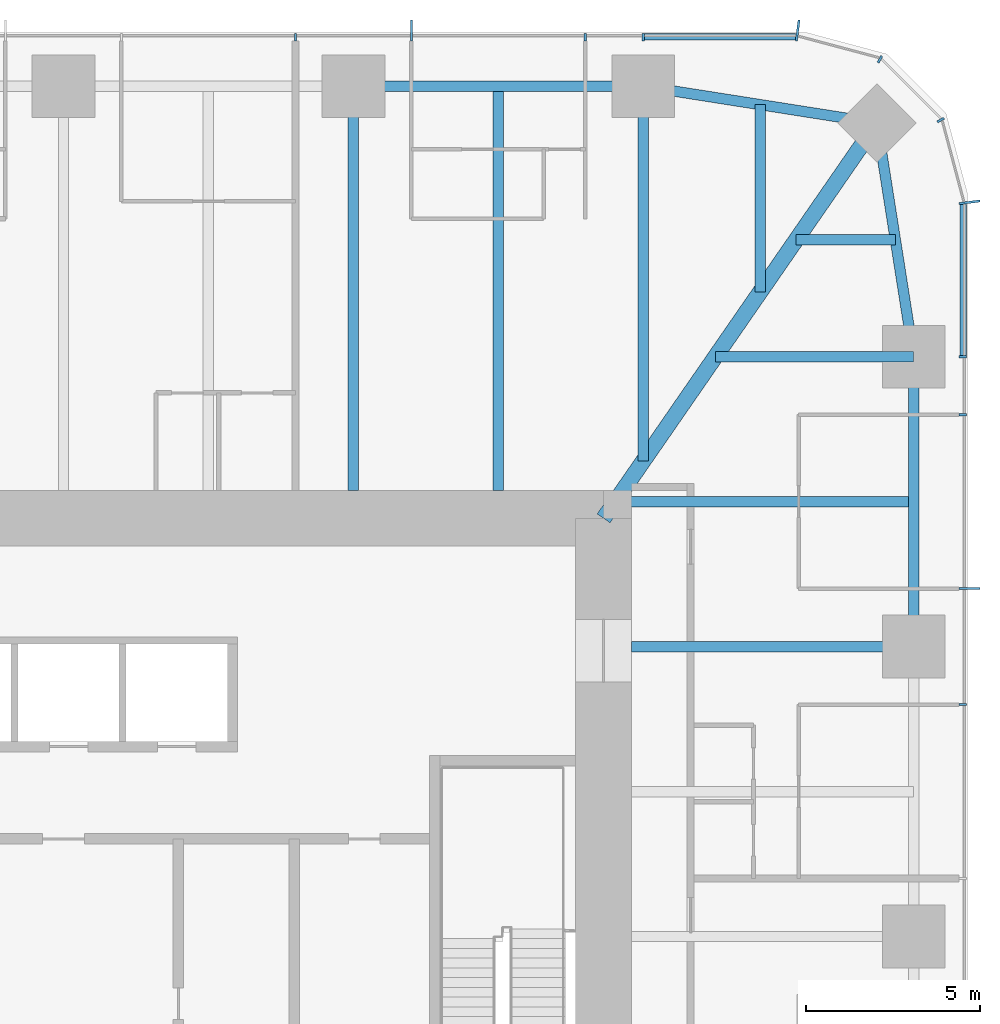
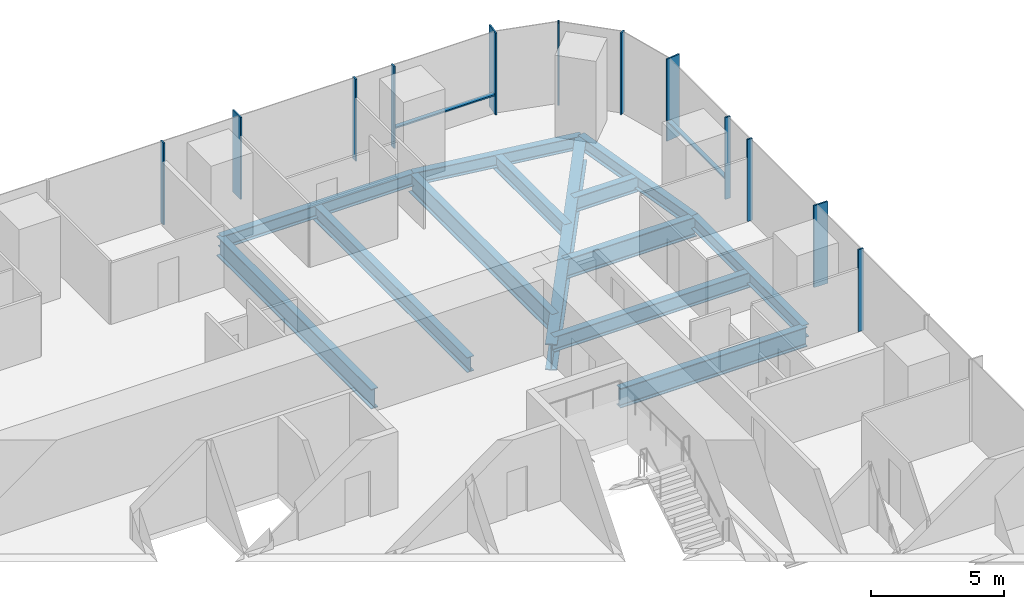
# One storey, part 6 of 12: 14 members, 13 beams, 3 elements without a shape of their own.
"""IFC4 building model written with IfcOpenShell, lengths in metres."""

from ifc_helpers import new_model, si_unit, direction, frame, origin, origin_2d, place, context, subcontext, project, spatial, rectangle, i_section, extrude, material, material_profile, profile_set, type_object, element, aggregate, save


model = new_model("IFC4")

# Units and contexts
model_context = context("Model", 3, precision=1e-05, world=origin(), true_north=direction((0.0, 1.0)))
body_context = subcontext(model_context, "Body", "Model", "MODEL_VIEW")
ifc_project = project(units=[si_unit("LENGTHUNIT", "METRE"), si_unit("AREAUNIT", "SQUARE_METRE"), si_unit("VOLUMEUNIT", "CUBIC_METRE"), si_unit("PLANEANGLEUNIT", "RADIAN"), si_unit("MASSUNIT", "GRAM", prefix="KILO")], contexts=[model_context])

# Site, building, storey
site_placement = place(None, origin())
site = spatial("IfcSite", under=ifc_project, at=site_placement, CompositionType="ELEMENT")
building_placement = place(site_placement, origin())
building = spatial("IfcBuilding", under=site, at=building_placement, Name="Khuree Lantern Residences", CompositionType="ELEMENT")
storey_placement = place(building_placement, frame((0.0, 0.0, 244.5)))
storey = spatial("IfcBuildingStorey", under=building, at=storey_placement, Name="L61", CompositionType="ELEMENT", Elevation=244.5)

# Beams
ifc_material_1 = material(Name="Steel S355", Category="steel")
ifc_material_profile_1 = material_profile(ifc_material_1, i_section(OverallWidth=0.300048828125, OverallDepth=0.68994140625, WebThickness=0.014404296875, FlangeThickness=0.027099609375, FilletRadius=0.027099609375, at=origin_2d()), Name="HE 700 A")
ifc_profile_set_1 = profile_set([ifc_material_profile_1], Name="Steel S355")
beam_type_1 = type_object("IfcBeamType", Name="B-34 SECONDARY BEAM HE 700 A", PredefinedType="BEAM", material=ifc_profile_set_1)
beam_1_placement = place(storey_placement, frame((12.47998046875, 24.39990234375, -0.594970703125), z_axis=(0.0, -1.0, 0.0), x_axis=(1.0, 0.0, 0.0)))
element("IfcBeam", 1, at=beam_1_placement, inside=storey, type_object=beam_type_1, Name="Secondary beam N4", PredefinedType="BEAM", context=body_context, shape_type="SweptSolid", body=[
    extrude(i_section(OverallWidth=0.300048828125, OverallDepth=0.68994140625, WebThickness=0.014404296875, FlangeThickness=0.027099609375, FilletRadius=0.027099609375, at=origin_2d()), origin(), (0.0, 0.0, 1.0), 11.599853515625),
])
beam_2_placement = place(storey_placement, frame((19.992919921875, 23.872802734375, -0.594970703125), z_axis=(0.0, -1.0, 0.0), x_axis=(1.0, 0.0, 0.0)))
element("IfcBeam", 2, at=beam_2_placement, inside=storey, type_object=beam_type_1, Name="Secondary beam N5", PredefinedType="BEAM", context=body_context, shape_type="SweptSolid", body=[
    extrude(i_section(OverallWidth=0.300048828125, OverallDepth=0.68994140625, WebThickness=0.014404296875, FlangeThickness=0.027099609375, FilletRadius=0.027099609375, at=origin_2d()), origin(), (0.0, 0.0, 1.0), 5.375732421875),
])
beam_3_placement = place(storey_placement, frame((23.872802734375, 19.992919921875, -0.594970703125), z_axis=(-1.0, 0.0, 0.0), x_axis=(0.0, -1.0, 0.0)))
element("IfcBeam", 3, at=beam_3_placement, inside=storey, type_object=beam_type_1, Name="Secondary beam E1", PredefinedType="BEAM", context=body_context, shape_type="SweptSolid", body=[
    extrude(i_section(OverallWidth=0.300048828125, OverallDepth=0.68994140625, WebThickness=0.014404296875, FlangeThickness=0.027099609375, FilletRadius=0.027099609375, at=origin_2d()), origin(), (0.0, 0.0, 1.0), 2.845703125),
])
beam_4_placement = place(storey_placement, frame((24.39990234375, 12.47998046875, -0.594970703125), z_axis=(-1.0, 0.0, 0.0), x_axis=(0.0, -1.0, 0.0)))
element("IfcBeam", 4, at=beam_4_placement, inside=storey, type_object=beam_type_1, Name="Secondary beam E2", PredefinedType="BEAM", context=body_context, shape_type="SweptSolid", body=[
    extrude(i_section(OverallWidth=0.300048828125, OverallDepth=0.68994140625, WebThickness=0.014404296875, FlangeThickness=0.027099609375, FilletRadius=0.027099609375, at=origin_2d()), origin(), (0.0, 0.0, 1.0), 8.56787109375),
])
ifc_material_profile_2 = material_profile(ifc_material_1, i_section(OverallWidth=0.300048828125, OverallDepth=0.590087890625, WebThickness=0.012939453125, FlangeThickness=0.02490234375, FilletRadius=0.027099609375, at=origin_2d()), Name="HE 600 A")
ifc_profile_set_2 = profile_set([ifc_material_profile_2], Name="Steel S355")
beam_type_2 = type_object("IfcBeamType", Name="E-34 SPANDREL BEAM HE 600 A", PredefinedType="SPANDREL", material=ifc_profile_set_2)
beam_5_placement = place(storey_placement, frame((8.320068359375, 24.39990234375, -0.544921875), z_axis=(1.0, 0.0, 0.0), x_axis=(0.0, 1.0, 0.0)))
element("IfcBeam", 5, at=beam_5_placement, inside=storey, type_object=beam_type_2, Name="Spandrel beam N4", PredefinedType="SPANDREL", context=body_context, shape_type="SweptSolid", body=[
    extrude(i_section(OverallWidth=0.300048828125, OverallDepth=0.590087890625, WebThickness=0.012939453125, FlangeThickness=0.02490234375, FilletRadius=0.027099609375, at=origin_2d()), origin(), (0.0, 0.0, 1.0), 8.31982421875),
])
for number, where, z_axis, x_axis, name in (
    (6, (16.639892578125, 24.39990234375, -0.544921875), (0.98786743189, -0.155299507442, 0.0), (0.155299507442, 0.98786743189, 0.0), "Spandrel beam N5"),
    (7, (23.345703125, 23.345703125, -0.544921875), (0.155299507442, -0.98786743189, 0.0), (0.98786743189, 0.155299507442, 0.0), "Spandrel beam E1"),
):
    element("IfcBeam", number, at=place(storey_placement, frame(where, z_axis=z_axis, x_axis=x_axis)), inside=storey, type_object=beam_type_2, Name=name, PredefinedType="SPANDREL", context=body_context, shape_type="SweptSolid", body=[
        extrude(i_section(OverallWidth=0.300048828125, OverallDepth=0.590087890625, WebThickness=0.012939453125, FlangeThickness=0.02490234375, FilletRadius=0.027099609375, at=origin_2d()), origin(), (0.0, 0.0, 1.0), 6.7880859375),
    ])
beam_6_placement = place(storey_placement, frame((24.39990234375, 16.639892578125, -0.544921875), z_axis=(0.0, -1.0, 0.0), x_axis=(1.0, 0.0, 0.0)))
element("IfcBeam", 8, at=beam_6_placement, inside=storey, type_object=beam_type_2, Name="Spandrel beam E2", PredefinedType="SPANDREL", context=body_context, shape_type="SweptSolid", body=[
    extrude(i_section(OverallWidth=0.300048828125, OverallDepth=0.590087890625, WebThickness=0.012939453125, FlangeThickness=0.02490234375, FilletRadius=0.027099609375, at=origin_2d()), origin(), (0.0, 0.0, 1.0), 8.31982421875),
])

# Curtain wall, member
ifc_material_2 = material(Name="Bronze anodised aluminium", Category="aluminium")
curtain_wall_type_1 = type_object("IfcCurtainWallType", Name="CW-T1 TOWER FACE CURTAIN WALL", PredefinedType="USERDEFINED", material=ifc_material_2)
curtain_wall_1_placement = place(storey_placement, origin())
curtain_wall_1 = element("IfcCurtainWall", 9, at=curtain_wall_1_placement, inside=storey, type_object=curtain_wall_type_1, Name="L61 EAST FACE CURTAIN WALL", ObjectType="Stick-built curtain wall", PredefinedType="USERDEFINED")
ifc_material_profile_3 = material_profile(ifc_material_2, rectangle(XDim=0.06494140625, YDim=0.60009765625, at=origin_2d()), Name="F1 65X600")
ifc_profile_set_3 = profile_set([ifc_material_profile_3], Name="Bronze anodised aluminium")
member_type_1 = type_object("IfcMemberType", Name="F1 BRONZE FIN MULLION TOWER 65X600", PredefinedType="MULLION", material=ifc_profile_set_3)
member_1_placement = place(storey_placement, frame((26.0, 9.98388671875, 0.0), z_axis=(0.0, 0.0, 1.0), x_axis=(0.0, 1.0, 0.0)))
member_1 = element("IfcMember", 10, at=member_1_placement, type_object=member_type_1, Name="L61 EAST FACE FIN MULLION 12", PredefinedType="MULLION", context=body_context, shape_type="SweptSolid", body=[
    extrude(rectangle(XDim=0.06494140625, YDim=0.60009765625, at=origin_2d()), origin(), (0.0, 0.0, 1.0), 3.75),
])

curtain_wall_type_2 = type_object("IfcCurtainWallType", Name="CW-T2 TOWER CORNER CURTAIN WALL", PredefinedType="USERDEFINED", material=ifc_material_2)
curtain_wall_2_placement = place(storey_placement, origin())
curtain_wall_2 = element("IfcCurtainWall", 11, at=curtain_wall_2_placement, inside=storey, type_object=curtain_wall_type_2, Name="L61 NORTH-EAST CORNER CURTAIN WALL", ObjectType="Faceted corner curtain wall", PredefinedType="USERDEFINED")
member_2_placement = place(storey_placement, frame((26.0, 21.06982421875, 0.0), z_axis=(0.0, 0.0, 1.0), x_axis=(-0.130526180298, 0.991444862943, 0.0)))
member_2 = element("IfcMember", 12, at=member_2_placement, type_object=member_type_1, Name="L61 NORTH-EAST CORNER FIN MULLION 15", PredefinedType="MULLION", context=body_context, shape_type="SweptSolid", body=[
    extrude(rectangle(XDim=0.06494140625, YDim=0.60009765625, at=origin_2d()), origin(), (0.0, 0.0, 1.0), 3.75),
])

# Curtain wall, members
curtain_wall_3_placement = place(storey_placement, origin())
curtain_wall_3 = element("IfcCurtainWall", 13, at=curtain_wall_3_placement, inside=storey, type_object=curtain_wall_type_1, Name="L61 NORTH FACE CURTAIN WALL", ObjectType="Stick-built curtain wall", PredefinedType="USERDEFINED")
member_3_placement = place(storey_placement, frame((21.06982421875, 26.0, 0.0), z_axis=(0.0, 0.0, 1.0), x_axis=(-0.991444862943, 0.130526180298, 0.0)))
member_3 = element("IfcMember", 14, at=member_3_placement, type_object=member_type_1, Name="L61 NORTH FACE FIN MULLION 18", PredefinedType="MULLION", context=body_context, shape_type="SweptSolid", body=[
    extrude(rectangle(XDim=0.06494140625, YDim=0.60009765625, at=origin_2d()), origin(), (0.0, 0.0, 1.0), 3.75),
])
member_4_placement = place(storey_placement, frame((9.98388671875, 26.0, 0.0), z_axis=(0.0, 0.0, 1.0), x_axis=(-1.0, 0.0, 0.0)))
member_4 = element("IfcMember", 15, at=member_4_placement, type_object=member_type_1, Name="L61 NORTH FACE FIN MULLION 21", PredefinedType="MULLION", context=body_context, shape_type="SweptSolid", body=[
    extrude(rectangle(XDim=0.06494140625, YDim=0.60009765625, at=origin_2d()), origin(), (0.0, 0.0, 1.0), 3.75),
])

# Beams
ifc_material_profile_4 = material_profile(ifc_material_1, i_section(OverallWidth=0.300048828125, OverallDepth=0.89990234375, WebThickness=0.0185546875, FlangeThickness=0.034912109375, FilletRadius=0.030029296875, at=origin_2d()), Name="HE 900 B")
ifc_profile_set_4 = profile_set([ifc_material_profile_4], Name="Steel S355")
beam_type_3 = type_object("IfcBeamType", Name="G-34 GIRDER HE 900 B", PredefinedType="BEAM", material=ifc_profile_set_4)
beam_7_placement = place(storey_placement, frame((8.320068359375, 24.39990234375, -0.699951171875), z_axis=(0.0, -1.0, 0.0), x_axis=(1.0, 0.0, 0.0)))
element("IfcBeam", 16, at=beam_7_placement, inside=storey, type_object=beam_type_3, Name="Girder N4", PredefinedType="BEAM", context=body_context, shape_type="SweptSolid", body=[
    extrude(i_section(OverallWidth=0.300048828125, OverallDepth=0.89990234375, WebThickness=0.0185546875, FlangeThickness=0.034912109375, FilletRadius=0.030029296875, at=origin_2d()), origin(), (0.0, 0.0, 1.0), 11.599853515625),
])
beam_8_placement = place(storey_placement, frame((16.639892578125, 24.39990234375, -0.699951171875), z_axis=(0.0, -1.0, 0.0), x_axis=(1.0, 0.0, 0.0)))
element("IfcBeam", 17, at=beam_8_placement, inside=storey, type_object=beam_type_3, Name="Girder N5", PredefinedType="BEAM", context=body_context, shape_type="SweptSolid", body=[
    extrude(i_section(OverallWidth=0.300048828125, OverallDepth=0.89990234375, WebThickness=0.0185546875, FlangeThickness=0.034912109375, FilletRadius=0.030029296875, at=origin_2d()), origin(), (0.0, 0.0, 1.0), 10.751220703125),
])
beam_9_placement = place(storey_placement, frame((24.39990234375, 16.639892578125, -0.699951171875), z_axis=(-1.0, 0.0, 0.0), x_axis=(0.0, -1.0, 0.0)))
element("IfcBeam", 18, at=beam_9_placement, inside=storey, type_object=beam_type_3, Name="Girder E1", PredefinedType="BEAM", context=body_context, shape_type="SweptSolid", body=[
    extrude(i_section(OverallWidth=0.300048828125, OverallDepth=0.89990234375, WebThickness=0.0185546875, FlangeThickness=0.034912109375, FilletRadius=0.030029296875, at=origin_2d()), origin(), (0.0, 0.0, 1.0), 5.69140625),
])
beam_10_placement = place(storey_placement, frame((24.39990234375, 8.320068359375, -0.699951171875), z_axis=(-1.0, 0.0, 0.0), x_axis=(0.0, -1.0, 0.0)))
element("IfcBeam", 19, at=beam_10_placement, inside=storey, type_object=beam_type_3, Name="Girder E2", PredefinedType="BEAM", context=body_context, shape_type="SweptSolid", body=[
    extrude(i_section(OverallWidth=0.300048828125, OverallDepth=0.89990234375, WebThickness=0.0185546875, FlangeThickness=0.034912109375, FilletRadius=0.030029296875, at=origin_2d()), origin(), (0.0, 0.0, 1.0), 8.099853515625),
])
ifc_material_profile_5 = material_profile(ifc_material_1, i_section(OverallWidth=0.449951171875, OverallDepth=1.199951171875, WebThickness=0.02490234375, FlangeThickness=0.044921875, at=origin_2d()), Name="WELDED I 1200X450X25X45")
ifc_profile_set_5 = profile_set([ifc_material_profile_5], Name="Steel S355")
beam_type_4 = type_object("IfcBeamType", Name="GD-34 CORNER GIRDER WELDED I 1200X450X25X45", PredefinedType="BEAM", material=ifc_profile_set_5)
beam_11_placement = place(storey_placement, frame((23.345703125, 23.345703125, -0.85009765625), z_axis=(-0.56876813501, -0.822497907959, 0.0), x_axis=(0.822497907959, -0.56876813501, 0.0)))
element("IfcBeam", 20, at=beam_11_placement, inside=storey, type_object=beam_type_4, Name="Corner girder NE", PredefinedType="BEAM", context=body_context, shape_type="SweptSolid", body=[
    extrude(i_section(OverallWidth=0.449951171875, OverallDepth=1.199951171875, WebThickness=0.02490234375, FlangeThickness=0.044921875, at=origin_2d()), origin(), (0.0, 0.0, 1.0), 13.794189453125),
])

# Member
ifc_material_profile_6 = material_profile(ifc_material_2, rectangle(XDim=0.06494140625, YDim=0.219970703125, at=origin_2d()), Name="M1 65X220")
ifc_profile_set_6 = profile_set([ifc_material_profile_6], Name="Bronze anodised aluminium")
member_type_2 = type_object("IfcMemberType", Name="M1 BRONZE MULLION TOWER 65X220", PredefinedType="MULLION", material=ifc_profile_set_6)
member_5_placement = place(storey_placement, frame((25.81005859375, 6.656005859375, 0.0), z_axis=(0.0, 0.0, 1.0), x_axis=(0.0, 1.0, 0.0)))
member_5 = element("IfcMember", 21, at=member_5_placement, type_object=member_type_2, Name="L61 EAST FACE MULLION 11", PredefinedType="MULLION", context=body_context, shape_type="SweptSolid", body=[
    extrude(rectangle(XDim=0.06494140625, YDim=0.219970703125, at=origin_2d()), origin(), (0.0, 0.0, 1.0), 3.75),
])

member_6_placement = place(storey_placement, frame((25.81005859375, 14.97607421875, 0.0), z_axis=(0.0, 0.0, 1.0), x_axis=(0.0, 1.0, 0.0)))
member_6 = element("IfcMember", 22, at=member_6_placement, type_object=member_type_2, Name="L61 EAST FACE MULLION 13", PredefinedType="MULLION", context=body_context, shape_type="SweptSolid", body=[
    extrude(rectangle(XDim=0.06494140625, YDim=0.219970703125, at=origin_2d()), origin(), (0.0, 0.0, 1.0), 3.75),
])

member_7_placement = place(storey_placement, frame((25.81005859375, 16.639892578125, 0.0), z_axis=(0.0, 0.0, 1.0), x_axis=(0.0, 1.0, 0.0)))
member_7 = element("IfcMember", 23, at=member_7_placement, type_object=member_type_2, Name="L61 EAST FACE MULLION 14", PredefinedType="MULLION", context=body_context, shape_type="SweptSolid", body=[
    extrude(rectangle(XDim=0.06494140625, YDim=0.219970703125, at=origin_2d()), origin(), (0.0, 0.0, 1.0), 3.75),
])

member_8_placement = place(storey_placement, frame((25.17236328125, 23.429931640625, 0.0), z_axis=(0.0, 0.0, 1.0), x_axis=(-0.499999989586, 0.866025409797, 0.0)))
member_8 = element("IfcMember", 24, at=member_8_placement, type_object=member_type_2, Name="L61 NORTH-EAST CORNER MULLION 16", PredefinedType="MULLION", context=body_context, shape_type="SweptSolid", body=[
    extrude(rectangle(XDim=0.06494140625, YDim=0.219970703125, at=origin_2d()), origin(), (0.0, 0.0, 1.0), 3.75),
])

member_9_placement = place(storey_placement, frame((23.429931640625, 25.17236328125, 0.0), z_axis=(0.0, 0.0, 1.0), x_axis=(-0.866025409797, 0.499999989586, 0.0)))
member_9 = element("IfcMember", 25, at=member_9_placement, type_object=member_type_2, Name="L61 NORTH-EAST CORNER MULLION 17", PredefinedType="MULLION", context=body_context, shape_type="SweptSolid", body=[
    extrude(rectangle(XDim=0.06494140625, YDim=0.219970703125, at=origin_2d()), origin(), (0.0, 0.0, 1.0), 3.75),
])

aggregate(curtain_wall_2, [member_2, member_8, member_9])

member_10_placement = place(storey_placement, frame((16.639892578125, 25.81005859375, 0.0), z_axis=(0.0, 0.0, 1.0), x_axis=(-1.0, 0.0, 0.0)))
member_10 = element("IfcMember", 26, at=member_10_placement, type_object=member_type_2, Name="L61 NORTH FACE MULLION 19", PredefinedType="MULLION", context=body_context, shape_type="SweptSolid", body=[
    extrude(rectangle(XDim=0.06494140625, YDim=0.219970703125, at=origin_2d()), origin(), (0.0, 0.0, 1.0), 3.75),
])

member_11_placement = place(storey_placement, frame((14.97607421875, 25.81005859375, 0.0), z_axis=(0.0, 0.0, 1.0), x_axis=(-1.0, 0.0, 0.0)))
member_11 = element("IfcMember", 27, at=member_11_placement, type_object=member_type_2, Name="L61 NORTH FACE MULLION 20", PredefinedType="MULLION", context=body_context, shape_type="SweptSolid", body=[
    extrude(rectangle(XDim=0.06494140625, YDim=0.219970703125, at=origin_2d()), origin(), (0.0, 0.0, 1.0), 3.75),
])

member_12_placement = place(storey_placement, frame((6.656005859375, 25.81005859375, 0.0), z_axis=(0.0, 0.0, 1.0), x_axis=(-1.0, 0.0, 0.0)))
member_12 = element("IfcMember", 28, at=member_12_placement, type_object=member_type_2, Name="L61 NORTH FACE MULLION 22", PredefinedType="MULLION", context=body_context, shape_type="SweptSolid", body=[
    extrude(rectangle(XDim=0.06494140625, YDim=0.219970703125, at=origin_2d()), origin(), (0.0, 0.0, 1.0), 3.75),
])

ifc_material_profile_7 = material_profile(ifc_material_2, rectangle(XDim=0.179931640625, YDim=0.06494140625, at=origin_2d()), Name="T1 180X65")
ifc_profile_set_7 = profile_set([ifc_material_profile_7], Name="Bronze anodised aluminium")
member_type_3 = type_object("IfcMemberType", Name="TRANSOM T1 TOWER 180X65", PredefinedType="USERDEFINED", material=ifc_profile_set_7)
member_13_placement = place(storey_placement, frame((25.820068359375, 16.672607421875, 0.89990234375), z_axis=(0.0, 1.0, 0.0), x_axis=(-1.0, 0.0, 0.0)))
member_13 = element("IfcMember", 29, at=member_13_placement, type_object=member_type_3, Name="L61 EAST FACE TRANSOM 14.1", ObjectType="Transom", PredefinedType="USERDEFINED", context=body_context, shape_type="SweptSolid", body=[
    extrude(rectangle(XDim=0.179931640625, YDim=0.06494140625, at=origin_2d()), origin(), (0.0, 0.0, 1.0), 4.328857421875),
])

aggregate(curtain_wall_1, [member_5, member_1, member_6, member_7, member_13])

member_14_placement = place(storey_placement, frame((21.00146484375, 25.820068359375, 0.89990234375), z_axis=(-1.0, 0.0, 0.0), x_axis=(0.0, -1.0, 0.0)))
member_14 = element("IfcMember", 30, at=member_14_placement, type_object=member_type_3, Name="L61 NORTH FACE TRANSOM 18.1", ObjectType="Transom", PredefinedType="USERDEFINED", context=body_context, shape_type="SweptSolid", body=[
    extrude(rectangle(XDim=0.179931640625, YDim=0.06494140625, at=origin_2d()), origin(), (0.0, 0.0, 1.0), 4.328857421875),
])

aggregate(curtain_wall_3, [member_3, member_10, member_11, member_4, member_12, member_14])

save(model, "model.ifc")
